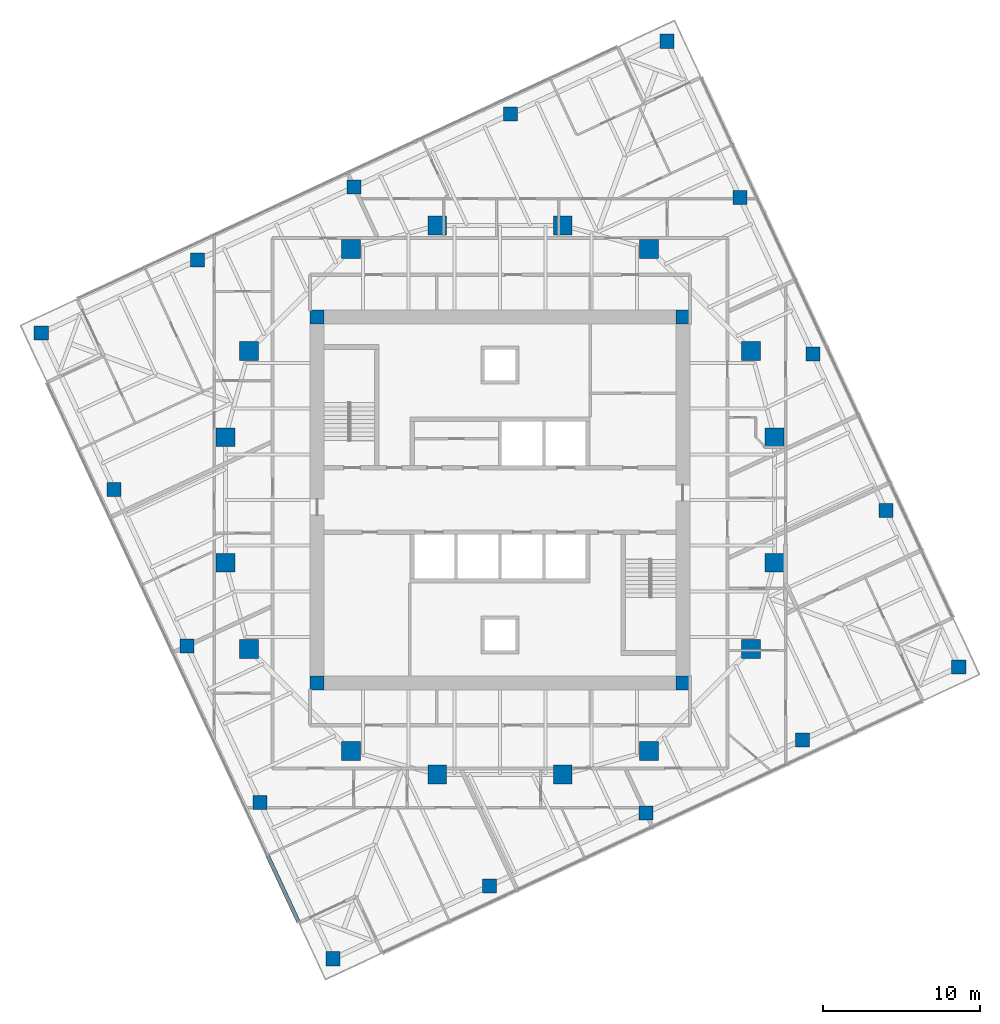
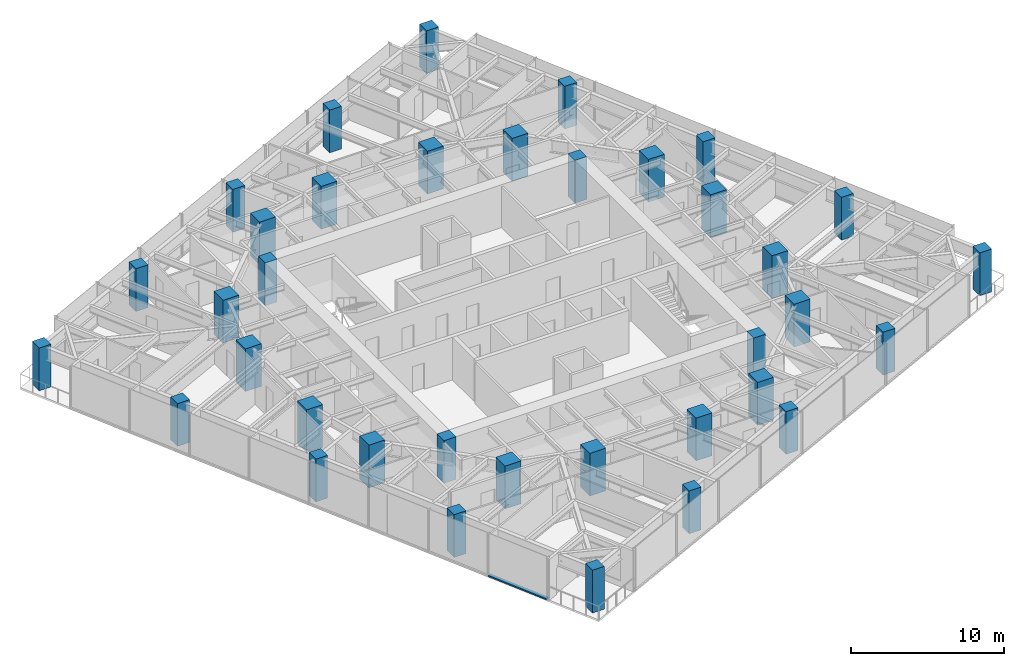
# One storey, part 1 of 13: 36 columns, 1 member, 1 element without a shape of its own.
"""IFC4 building model written with IfcOpenShell, lengths in metres."""

from ifc_helpers import new_model, si_unit, direction, frame, origin, origin_2d, place, context, subcontext, project, spatial, rectangle, extrude, material, material_profile, profile_set, type_object, element, aggregate, save


model = new_model("IFC4")

# Units and contexts
model_context = context("Model", 3, precision=1e-05, world=origin(), true_north=direction((0.0, 1.0)))
body_context = subcontext(model_context, "Body", "Model", "MODEL_VIEW")
ifc_project = project(units=[si_unit("LENGTHUNIT", "METRE"), si_unit("AREAUNIT", "SQUARE_METRE"), si_unit("VOLUMEUNIT", "CUBIC_METRE"), si_unit("PLANEANGLEUNIT", "RADIAN"), si_unit("MASSUNIT", "GRAM", prefix="KILO")], contexts=[model_context])

# Site, building, storey
site_placement = place(None, origin())
site = spatial("IfcSite", under=ifc_project, at=site_placement, CompositionType="ELEMENT")
building_placement = place(site_placement, origin())
building = spatial("IfcBuilding", under=site, at=building_placement, Name="Torsade Residences", CompositionType="ELEMENT")
storey_placement = place(building_placement, frame((0.0, 0.0, 196.39990234375)))
storey = spatial("IfcBuildingStorey", under=building, at=storey_placement, Name="L54", CompositionType="ELEMENT", Elevation=196.39990234375)

# Columns
ifc_material_1 = material(Name="Concrete 80 MPa", Category="concrete")
ifc_material_profile_1 = material_profile(ifc_material_1, rectangle(XDim=0.89990234375, YDim=0.89990234375, at=origin_2d()), Name="RC 900x900")
ifc_profile_set_1 = profile_set([ifc_material_profile_1], Name="Concrete 80 MPa")
column_type_1 = type_object("IfcColumnType", Name="CORE CORNER COLUMN RC 900x900", PredefinedType="COLUMN", material=ifc_profile_set_1)
for number, where, z_axis, x_axis, name in (
    (1, (28.35009765625, 18.35009765625, 0.0), (0.0, 0.0, 1.0), (1.0, 0.0, 0.0), "Core corner column CC1 L54"),
    (2, (51.64990234375, 18.35009765625, 0.0), (0.0, 0.0, 1.0), (1.0, 0.0, 0.0), "Core corner column CC2 L54"),
    (3, (51.64990234375, 41.64990234375, 0.0), (0.0, 0.0, 1.0), (1.0, 0.0, 0.0), "Core corner column CC3 L54"),
    (4, (28.35009765625, 41.64990234375, 0.0), (0.0, 0.0, 1.0), (1.0, 0.0, 0.0), "Core corner column CC4 L54"),
):
    element("IfcColumn", number, at=place(storey_placement, frame(where, z_axis=z_axis, x_axis=x_axis)), inside=storey, type_object=column_type_1, Name=name, PredefinedType="COLUMN", context=body_context, shape_type="SweptSolid", body=[
        extrude(rectangle(XDim=0.89990234375, YDim=0.89990234375, at=origin_2d()), origin(), (0.0, 0.0, 1.0), 3.400146484375),
    ])
ifc_material_2 = material(Name="Concrete 80 MPa", Category="concrete")
ifc_material_profile_2 = material_profile(ifc_material_2, rectangle(XDim=1.199951171875, YDim=1.199951171875, at=origin_2d()), Name="RC 1200x1200")
ifc_profile_set_2 = profile_set([ifc_material_profile_2], Name="Concrete 80 MPa")
column_type_2 = type_object("IfcColumnType", Name="INNER RING COLUMN RC 1200x1200", PredefinedType="COLUMN", material=ifc_profile_set_2)
for number, where, z_axis, x_axis, name in (
    (5, (57.5, 26.0, 0.0), (0.0, 0.0, 1.0), (1.0, 0.0, 0.0), "Inner ring column IR01 L54"),
    (6, (57.5, 34.0, 0.0), (0.0, 0.0, 1.0), (1.0, 0.0, 0.0), "Inner ring column IR02 L54"),
    (7, (56.0, 39.5, 0.0), (0.0, 0.0, 1.0), (1.0, 0.0, 0.0), "Inner ring column IR03 L54"),
    (8, (49.5, 46.0, 0.0), (0.0, 0.0, 1.0), (1.0, 0.0, 0.0), "Inner ring column IR04 L54"),
    (9, (44.0, 47.5, 0.0), (0.0, 0.0, 1.0), (1.0, 0.0, 0.0), "Inner ring column IR05 L54"),
    (10, (36.0, 47.5, 0.0), (0.0, 0.0, 1.0), (1.0, 0.0, 0.0), "Inner ring column IR06 L54"),
    (11, (30.5, 46.0, 0.0), (0.0, 0.0, 1.0), (1.0, 0.0, 0.0), "Inner ring column IR07 L54"),
    (12, (24.0, 39.5, 0.0), (0.0, 0.0, 1.0), (1.0, 0.0, 0.0), "Inner ring column IR08 L54"),
    (13, (22.5, 34.0, 0.0), (0.0, 0.0, 1.0), (1.0, 0.0, 0.0), "Inner ring column IR09 L54"),
    (14, (22.5, 26.0, 0.0), (0.0, 0.0, 1.0), (1.0, 0.0, 0.0), "Inner ring column IR10 L54"),
    (15, (24.0, 20.5, 0.0), (0.0, 0.0, 1.0), (1.0, 0.0, 0.0), "Inner ring column IR11 L54"),
    (16, (30.5, 14.0, 0.0), (0.0, 0.0, 1.0), (1.0, 0.0, 0.0), "Inner ring column IR12 L54"),
    (17, (36.0, 12.5, 0.0), (0.0, 0.0, 1.0), (1.0, 0.0, 0.0), "Inner ring column IR13 L54"),
    (18, (44.0, 12.5, 0.0), (0.0, 0.0, 1.0), (1.0, 0.0, 0.0), "Inner ring column IR14 L54"),
    (19, (49.5, 14.0, 0.0), (0.0, 0.0, 1.0), (1.0, 0.0, 0.0), "Inner ring column IR15 L54"),
    (20, (56.0, 20.5, 0.0), (0.0, 0.0, 1.0), (1.0, 0.0, 0.0), "Inner ring column IR16 L54"),
):
    element("IfcColumn", number, at=place(storey_placement, frame(where, z_axis=z_axis, x_axis=x_axis)), inside=storey, type_object=column_type_2, Name=name, PredefinedType="COLUMN", context=body_context, shape_type="SweptSolid", body=[
        extrude(rectangle(XDim=1.199951171875, YDim=1.199951171875, at=origin_2d()), origin(), (0.0, 0.0, 1.0), 3.400146484375),
    ])
ifc_material_3 = material(Name="Concrete 80 MPa", Category="concrete")
ifc_material_profile_3 = material_profile(ifc_material_3, rectangle(XDim=0.89990234375, YDim=0.89990234375, at=origin_2d()), Name="RC 900x900")
ifc_profile_set_3 = profile_set([ifc_material_profile_3], Name="Concrete 80 MPa")
column_type_3 = type_object("IfcColumnType", Name="TOWER COLUMN RC 900x900", PredefinedType="COLUMN", material=ifc_profile_set_3)
for number, where, z_axis, x_axis, name in (
    (21, (29.35888671875, 0.763671875, 0.0), (0.0, 0.0, 1.0), (1.0, 0.0, 0.0), "Column TC6-01 L54"),
    (22, (39.328125, 5.412353515625, 0.0), (0.0, 0.0, 1.0), (1.0, 0.0, 0.0), "Column TC6-02 L54"),
    (23, (49.297607421875, 10.061279296875, 0.0), (0.0, 0.0, 1.0), (1.0, 0.0, 0.0), "Column TC6-03 L54"),
    (24, (59.26708984375, 14.7099609375, 0.0), (0.0, 0.0, 1.0), (1.0, 0.0, 0.0), "Column TC6-04 L54"),
    (25, (69.236328125, 19.35888671875, 0.0), (0.0, 0.0, 1.0), (1.0, 0.0, 0.0), "Column TC6-05 L54"),
    (26, (64.587646484375, 29.328125, 0.0), (0.0, 0.0, 1.0), (1.0, 0.0, 0.0), "Column TC6-06 L54"),
    (27, (59.938720703125, 39.297607421875, 0.0), (0.0, 0.0, 1.0), (1.0, 0.0, 0.0), "Column TC6-07 L54"),
    (28, (55.2900390625, 49.26708984375, 0.0), (0.0, 0.0, 1.0), (1.0, 0.0, 0.0), "Column TC6-08 L54"),
    (29, (50.64111328125, 59.236328125, 0.0), (0.0, 0.0, 1.0), (1.0, 0.0, 0.0), "Column TC6-09 L54"),
    (30, (40.671875, 54.587646484375, 0.0), (0.0, 0.0, 1.0), (1.0, 0.0, 0.0), "Column TC6-10 L54"),
    (31, (30.702392578125, 49.938720703125, 0.0), (0.0, 0.0, 1.0), (1.0, 0.0, 0.0), "Column TC6-11 L54"),
    (32, (20.73291015625, 45.2900390625, 0.0), (0.0, 0.0, 1.0), (1.0, 0.0, 0.0), "Column TC6-12 L54"),
    (33, (10.763671875, 40.64111328125, 0.0), (0.0, 0.0, 1.0), (1.0, 0.0, 0.0), "Column TC6-13 L54"),
    (34, (15.412353515625, 30.671875, 0.0), (0.0, 0.0, 1.0), (1.0, 0.0, 0.0), "Column TC6-14 L54"),
    (35, (20.061279296875, 20.702392578125, 0.0), (0.0, 0.0, 1.0), (1.0, 0.0, 0.0), "Column TC6-15 L54"),
    (36, (24.7099609375, 10.73291015625, 0.0), (0.0, 0.0, 1.0), (1.0, 0.0, 0.0), "Column TC6-16 L54"),
):
    element("IfcColumn", number, at=place(storey_placement, frame(where, z_axis=z_axis, x_axis=x_axis)), inside=storey, type_object=column_type_3, Name=name, PredefinedType="COLUMN", context=body_context, shape_type="SweptSolid", body=[
        extrude(rectangle(XDim=0.89990234375, YDim=0.89990234375, at=origin_2d()), origin(), (0.0, 0.0, 1.0), 3.400146484375),
    ])

# Curtain wall, member
ifc_material_4 = material(Name="Aluminium and glass", Category="aluminium")
curtain_wall_type = type_object("IfcCurtainWallType", Name="FRITTED GLASS CURTAIN WALL MID ZONE", PredefinedType="NOTDEFINED", material=ifc_material_4)
curtain_wall_placement = place(storey_placement, origin())
curtain_wall = element("IfcCurtainWall", 37, at=curtain_wall_placement, inside=storey, type_object=curtain_wall_type, Name="Curtain wall L54 face 10", PredefinedType="NOTDEFINED")
ifc_material_5 = material(Name="Aluminium transom", Category="aluminium")
ifc_material_profile_4 = material_profile(ifc_material_5, rectangle(XDim=0.25, YDim=0.110107421875, at=origin_2d()), Name="MID ZONE CURTAIN WALL TRANSOM 250x110")
ifc_profile_set_4 = profile_set([ifc_material_profile_4], Name="Aluminium transom")
member_type = type_object("IfcMemberType", Name="MID ZONE CURTAIN WALL TRANSOM 250x110", PredefinedType="USERDEFINED", material=ifc_profile_set_4)
member_placement = place(storey_placement, frame((25.194091796875, 7.32861328125, 0.05517578125), z_axis=(0.422622764878, -0.906305687176, 0.0), x_axis=(0.906305687176, 0.422622764878, 0.0)))
member = element("IfcMember", 38, at=member_placement, type_object=member_type, Name="Transom 8.1", ObjectType="TRANSOM", PredefinedType="USERDEFINED", context=body_context, shape_type="SweptSolid", body=[
    extrude(rectangle(XDim=0.25, YDim=0.110107421875, at=origin_2d()), origin(), (0.0, 0.0, 1.0), 4.630126953125),
])
aggregate(curtain_wall, [member])

save(model, "model.ifc")
